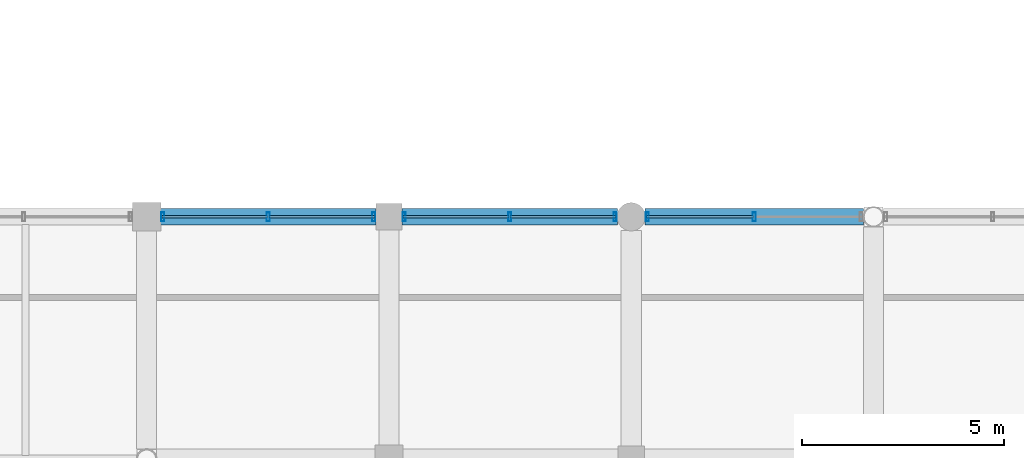
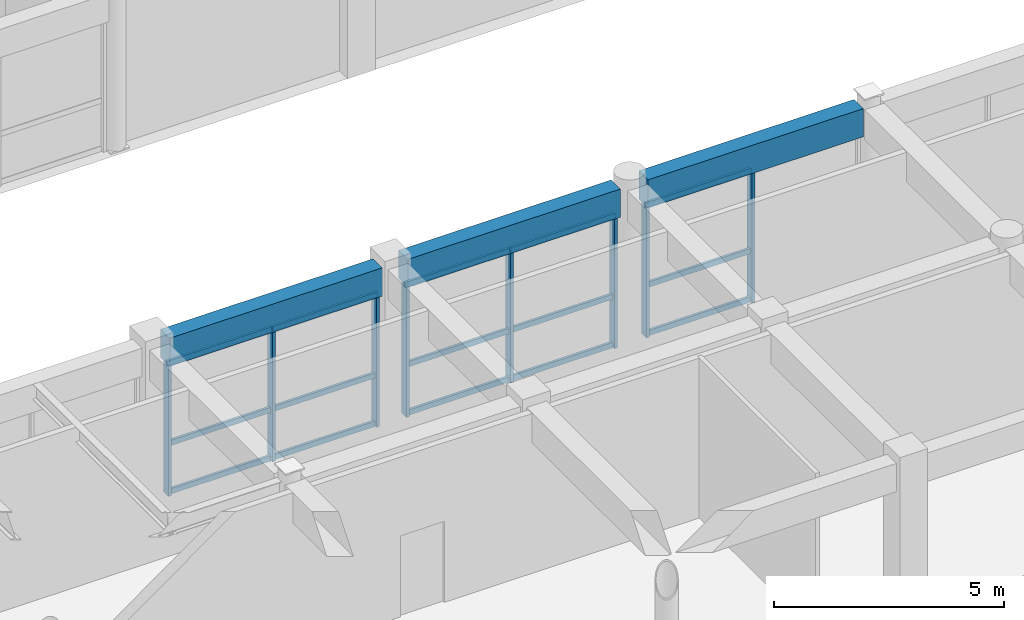
# One storey, part 39 of 116: 23 members, 3 beams, 3 elements without a shape of their own.
"""IFC4 building model written with IfcOpenShell, lengths in metres."""

from ifc_helpers import new_model, si_unit, direction, frame, origin, origin_2d, place, context, subcontext, project, spatial, rectangle, hollow_rectangle, extrude, material, material_profile, profile_set, type_object, element, aggregate, save


model = new_model("IFC4")

# Units and contexts
model_context = context("Model", 3, precision=1e-05, world=origin(), true_north=direction((0.0, 1.0)))
body_context = subcontext(model_context, "Body", "Model", "MODEL_VIEW")
ifc_project = project(units=[si_unit("LENGTHUNIT", "METRE"), si_unit("AREAUNIT", "SQUARE_METRE"), si_unit("VOLUMEUNIT", "CUBIC_METRE"), si_unit("PLANEANGLEUNIT", "RADIAN"), si_unit("MASSUNIT", "GRAM", prefix="KILO"), si_unit("THERMODYNAMICTEMPERATUREUNIT", "KELVIN"), si_unit("POWERUNIT", "WATT")], contexts=[model_context])

# Site, building, storey
site_placement = place(None, origin())
site = spatial("IfcSite", under=ifc_project, at=site_placement, CompositionType="ELEMENT")
building_placement = place(site_placement, origin())
building = spatial("IfcBuilding", under=site, at=building_placement, Name="Phaisarnlok Congress Hotel", CompositionType="ELEMENT")
storey_placement = place(building_placement, frame((0.0, 0.0, 10.5)))
storey = spatial("IfcBuildingStorey", under=building, at=storey_placement, Name="L02", CompositionType="ELEMENT", Elevation=10.5)

# Curtain wall, members
ifc_material_1 = material(Name="Thermally Broken Unitised Aluminium & Low-E Glazing", Category="aluminium")
curtain_wall_type_1 = type_object("IfcCurtainWallType", Name="CW-UNIT-17", PredefinedType="NOTDEFINED", material=ifc_material_1)
curtain_wall_1_placement = place(storey_placement, origin())
curtain_wall_1 = element("IfcCurtainWall", 1, at=curtain_wall_1_placement, inside=storey, type_object=curtain_wall_type_1, Name="Unitised curtain wall CW-17 (L02)", PredefinedType="NOTDEFINED")
ifc_material_2 = material(Name="Anodised Aluminium Alloy 6063-T6", Category="aluminium")
ifc_material_profile_1 = material_profile(ifc_material_2, hollow_rectangle(XDim=0.074951171875, YDim=0.219970703125, WallThickness=0.0048828125, at=origin_2d()), Name="ALU-M 75x220x5")
ifc_profile_set_1 = profile_set([ifc_material_profile_1], Name="Anodised Aluminium Alloy 6063-T6")
member_type_1 = type_object("IfcMemberType", Name="CWM-220", PredefinedType="MULLION", material=ifc_profile_set_1)
member_1_placement = place(storey_placement, frame((111.048095703125, 96.0, 0.0), z_axis=(0.0, 0.0, 1.0), x_axis=(-1.0, 0.0, 0.0)))
member_1 = element("IfcMember", 2, at=member_1_placement, type_object=member_type_1, Name="Curtain wall mullion CWM-02", PredefinedType="MULLION", context=body_context, shape_type="SweptSolid", body=[
    extrude(hollow_rectangle(XDim=0.074951171875, YDim=0.219970703125, WallThickness=0.0048828125, at=origin_2d()), origin(), (0.0, 0.0, 1.0), 3.510009765625),
])
member_2_placement = place(storey_placement, frame((108.39990234375, 96.0, 0.0), z_axis=(0.0, 0.0, 1.0), x_axis=(-1.0, 0.0, 0.0)))
member_2 = element("IfcMember", 3, at=member_2_placement, type_object=member_type_1, Name="Curtain wall mullion CWM-02", PredefinedType="MULLION", context=body_context, shape_type="SweptSolid", body=[
    extrude(hollow_rectangle(XDim=0.074951171875, YDim=0.219970703125, WallThickness=0.0048828125, at=origin_2d()), origin(), (0.0, 0.0, 1.0), 3.510009765625),
])

curtain_wall_type_2 = type_object("IfcCurtainWallType", Name="CW-UNIT-16", PredefinedType="NOTDEFINED", material=ifc_material_1)
curtain_wall_2_placement = place(storey_placement, origin())
curtain_wall_2 = element("IfcCurtainWall", 4, at=curtain_wall_2_placement, inside=storey, type_object=curtain_wall_type_2, Name="Unitised curtain wall CW-16 (L02)", PredefinedType="NOTDEFINED")
member_3_placement = place(storey_placement, frame((107.60009765625, 96.0, 0.0), z_axis=(0.0, 0.0, 1.0), x_axis=(-1.0, 0.0, 0.0)))
member_3 = element("IfcMember", 5, at=member_3_placement, type_object=member_type_1, Name="Curtain wall mullion CWM-02", PredefinedType="MULLION", context=body_context, shape_type="SweptSolid", body=[
    extrude(hollow_rectangle(XDim=0.074951171875, YDim=0.219970703125, WallThickness=0.0048828125, at=origin_2d()), origin(), (0.0, 0.0, 1.0), 3.510009765625),
])
member_4_placement = place(storey_placement, frame((104.987548828125, 96.0, 0.0), z_axis=(0.0, 0.0, 1.0), x_axis=(-1.0, 0.0, 0.0)))
member_4 = element("IfcMember", 6, at=member_4_placement, type_object=member_type_1, Name="Curtain wall mullion CWM-02", PredefinedType="MULLION", context=body_context, shape_type="SweptSolid", body=[
    extrude(hollow_rectangle(XDim=0.074951171875, YDim=0.219970703125, WallThickness=0.0048828125, at=origin_2d()), origin(), (0.0, 0.0, 1.0), 3.510009765625),
])
member_5_placement = place(storey_placement, frame((102.375, 96.0, 0.0), z_axis=(0.0, 0.0, 1.0), x_axis=(-1.0, 0.0, 0.0)))
member_5 = element("IfcMember", 7, at=member_5_placement, type_object=member_type_1, Name="Curtain wall mullion CWM-02", PredefinedType="MULLION", context=body_context, shape_type="SweptSolid", body=[
    extrude(hollow_rectangle(XDim=0.074951171875, YDim=0.219970703125, WallThickness=0.0048828125, at=origin_2d()), origin(), (0.0, 0.0, 1.0), 3.510009765625),
])

curtain_wall_3_placement = place(storey_placement, origin())
curtain_wall_3 = element("IfcCurtainWall", 8, at=curtain_wall_3_placement, inside=storey, type_object=curtain_wall_type_2, Name="Unitised curtain wall CW-16 (L02)", PredefinedType="NOTDEFINED")
member_6_placement = place(storey_placement, frame((101.625, 96.0, 0.0), z_axis=(0.0, 0.0, 1.0), x_axis=(-1.0, 0.0, 0.0)))
member_6 = element("IfcMember", 9, at=member_6_placement, type_object=member_type_1, Name="Curtain wall mullion CWM-02", PredefinedType="MULLION", context=body_context, shape_type="SweptSolid", body=[
    extrude(hollow_rectangle(XDim=0.074951171875, YDim=0.219970703125, WallThickness=0.0048828125, at=origin_2d()), origin(), (0.0, 0.0, 1.0), 3.510009765625),
])
member_7_placement = place(storey_placement, frame((99.012451171875, 96.0, 0.0), z_axis=(0.0, 0.0, 1.0), x_axis=(-1.0, 0.0, 0.0)))
member_7 = element("IfcMember", 10, at=member_7_placement, type_object=member_type_1, Name="Curtain wall mullion CWM-02", PredefinedType="MULLION", context=body_context, shape_type="SweptSolid", body=[
    extrude(hollow_rectangle(XDim=0.074951171875, YDim=0.219970703125, WallThickness=0.0048828125, at=origin_2d()), origin(), (0.0, 0.0, 1.0), 3.510009765625),
])
member_8_placement = place(storey_placement, frame((96.39990234375, 96.0, 0.0), z_axis=(0.0, 0.0, 1.0), x_axis=(-1.0, 0.0, 0.0)))
member_8 = element("IfcMember", 11, at=member_8_placement, type_object=member_type_1, Name="Curtain wall mullion CWM-02", PredefinedType="MULLION", context=body_context, shape_type="SweptSolid", body=[
    extrude(hollow_rectangle(XDim=0.074951171875, YDim=0.219970703125, WallThickness=0.0048828125, at=origin_2d()), origin(), (0.0, 0.0, 1.0), 3.510009765625),
])

# Member
ifc_material_profile_2 = material_profile(ifc_material_2, hollow_rectangle(XDim=0.06494140625, YDim=0.139892578125, WallThickness=0.00390625, at=origin_2d()), Name="ALU-T 65x140x4")
ifc_profile_set_2 = profile_set([ifc_material_profile_2], Name="Anodised Aluminium Alloy 6063-T6")
member_type_2 = type_object("IfcMemberType", Name="CWT-150", PredefinedType="USERDEFINED", material=ifc_profile_set_2)
member_9_placement = place(storey_placement, frame((111.032958984375, 96.0, 0.050048828125), z_axis=(-1.0, 0.0, 0.0), x_axis=(0.0, -1.0, 0.0)))
member_9 = element("IfcMember", 12, at=member_9_placement, type_object=member_type_2, Name="Curtain wall transom CWT-01", ObjectType="TRANSOM", PredefinedType="USERDEFINED", context=body_context, shape_type="SweptSolid", body=[
    extrude(hollow_rectangle(XDim=0.06494140625, YDim=0.139892578125, WallThickness=0.00390625, at=origin_2d()), origin(), (0.0, 0.0, 1.0), 2.657958984375),
])

member_10_placement = place(storey_placement, frame((111.032958984375, 96.0, 1.333740234375), z_axis=(-1.0, 0.0, 0.0), x_axis=(0.0, -1.0, 0.0)))
member_10 = element("IfcMember", 13, at=member_10_placement, type_object=member_type_2, Name="Curtain wall transom CWT-01", ObjectType="TRANSOM", PredefinedType="USERDEFINED", context=body_context, shape_type="SweptSolid", body=[
    extrude(hollow_rectangle(XDim=0.06494140625, YDim=0.139892578125, WallThickness=0.00390625, at=origin_2d()), origin(), (0.0, 0.0, 1.0), 2.657958984375),
])

member_11_placement = place(storey_placement, frame((111.032958984375, 96.0, 3.4599609375), z_axis=(-1.0, 0.0, 0.0), x_axis=(0.0, -1.0, 0.0)))
member_11 = element("IfcMember", 14, at=member_11_placement, type_object=member_type_2, Name="Curtain wall transom CWT-01", ObjectType="TRANSOM", PredefinedType="USERDEFINED", context=body_context, shape_type="SweptSolid", body=[
    extrude(hollow_rectangle(XDim=0.06494140625, YDim=0.139892578125, WallThickness=0.00390625, at=origin_2d()), origin(), (0.0, 0.0, 1.0), 2.657958984375),
])

aggregate(curtain_wall_1, [member_1, member_2, member_9, member_10, member_11])

member_12_placement = place(storey_placement, frame((107.625, 96.0, 0.050048828125), z_axis=(-1.0, 0.0, 0.0), x_axis=(0.0, -1.0, 0.0)))
member_12 = element("IfcMember", 15, at=member_12_placement, type_object=member_type_2, Name="Curtain wall transom CWT-01", ObjectType="TRANSOM", PredefinedType="USERDEFINED", context=body_context, shape_type="SweptSolid", body=[
    extrude(hollow_rectangle(XDim=0.06494140625, YDim=0.139892578125, WallThickness=0.00390625, at=origin_2d()), origin(), (0.0, 0.0, 1.0), 2.62255859375),
])

member_13_placement = place(storey_placement, frame((107.625, 96.0, 1.333740234375), z_axis=(-1.0, 0.0, 0.0), x_axis=(0.0, -1.0, 0.0)))
member_13 = element("IfcMember", 16, at=member_13_placement, type_object=member_type_2, Name="Curtain wall transom CWT-01", ObjectType="TRANSOM", PredefinedType="USERDEFINED", context=body_context, shape_type="SweptSolid", body=[
    extrude(hollow_rectangle(XDim=0.06494140625, YDim=0.139892578125, WallThickness=0.00390625, at=origin_2d()), origin(), (0.0, 0.0, 1.0), 2.62255859375),
])

member_14_placement = place(storey_placement, frame((107.625, 96.0, 3.4599609375), z_axis=(-1.0, 0.0, 0.0), x_axis=(0.0, -1.0, 0.0)))
member_14 = element("IfcMember", 17, at=member_14_placement, type_object=member_type_2, Name="Curtain wall transom CWT-01", ObjectType="TRANSOM", PredefinedType="USERDEFINED", context=body_context, shape_type="SweptSolid", body=[
    extrude(hollow_rectangle(XDim=0.06494140625, YDim=0.139892578125, WallThickness=0.00390625, at=origin_2d()), origin(), (0.0, 0.0, 1.0), 2.62255859375),
])

member_15_placement = place(storey_placement, frame((104.972412109375, 96.0, 0.050048828125), z_axis=(-1.0, 0.0, 0.0), x_axis=(0.0, -1.0, 0.0)))
member_15 = element("IfcMember", 18, at=member_15_placement, type_object=member_type_2, Name="Curtain wall transom CWT-01", ObjectType="TRANSOM", PredefinedType="USERDEFINED", context=body_context, shape_type="SweptSolid", body=[
    extrude(hollow_rectangle(XDim=0.06494140625, YDim=0.139892578125, WallThickness=0.00390625, at=origin_2d()), origin(), (0.0, 0.0, 1.0), 2.622314453125),
])

member_16_placement = place(storey_placement, frame((104.972412109375, 96.0, 1.333740234375), z_axis=(-1.0, 0.0, 0.0), x_axis=(0.0, -1.0, 0.0)))
member_16 = element("IfcMember", 19, at=member_16_placement, type_object=member_type_2, Name="Curtain wall transom CWT-01", ObjectType="TRANSOM", PredefinedType="USERDEFINED", context=body_context, shape_type="SweptSolid", body=[
    extrude(hollow_rectangle(XDim=0.06494140625, YDim=0.139892578125, WallThickness=0.00390625, at=origin_2d()), origin(), (0.0, 0.0, 1.0), 2.622314453125),
])

member_17_placement = place(storey_placement, frame((104.972412109375, 96.0, 3.4599609375), z_axis=(-1.0, 0.0, 0.0), x_axis=(0.0, -1.0, 0.0)))
member_17 = element("IfcMember", 20, at=member_17_placement, type_object=member_type_2, Name="Curtain wall transom CWT-01", ObjectType="TRANSOM", PredefinedType="USERDEFINED", context=body_context, shape_type="SweptSolid", body=[
    extrude(hollow_rectangle(XDim=0.06494140625, YDim=0.139892578125, WallThickness=0.00390625, at=origin_2d()), origin(), (0.0, 0.0, 1.0), 2.622314453125),
])

aggregate(curtain_wall_2, [member_3, member_4, member_5, member_12, member_13, member_14, member_15, member_16, member_17])

member_18_placement = place(storey_placement, frame((101.64990234375, 96.0, 0.050048828125), z_axis=(-1.0, 0.0, 0.0), x_axis=(0.0, -1.0, 0.0)))
member_18 = element("IfcMember", 21, at=member_18_placement, type_object=member_type_2, Name="Curtain wall transom CWT-01", ObjectType="TRANSOM", PredefinedType="USERDEFINED", context=body_context, shape_type="SweptSolid", body=[
    extrude(hollow_rectangle(XDim=0.06494140625, YDim=0.139892578125, WallThickness=0.00390625, at=origin_2d()), origin(), (0.0, 0.0, 1.0), 2.622314453125),
])

member_19_placement = place(storey_placement, frame((101.64990234375, 96.0, 1.333740234375), z_axis=(-1.0, 0.0, 0.0), x_axis=(0.0, -1.0, 0.0)))
member_19 = element("IfcMember", 22, at=member_19_placement, type_object=member_type_2, Name="Curtain wall transom CWT-01", ObjectType="TRANSOM", PredefinedType="USERDEFINED", context=body_context, shape_type="SweptSolid", body=[
    extrude(hollow_rectangle(XDim=0.06494140625, YDim=0.139892578125, WallThickness=0.00390625, at=origin_2d()), origin(), (0.0, 0.0, 1.0), 2.622314453125),
])

member_20_placement = place(storey_placement, frame((101.64990234375, 96.0, 3.4599609375), z_axis=(-1.0, 0.0, 0.0), x_axis=(0.0, -1.0, 0.0)))
member_20 = element("IfcMember", 23, at=member_20_placement, type_object=member_type_2, Name="Curtain wall transom CWT-01", ObjectType="TRANSOM", PredefinedType="USERDEFINED", context=body_context, shape_type="SweptSolid", body=[
    extrude(hollow_rectangle(XDim=0.06494140625, YDim=0.139892578125, WallThickness=0.00390625, at=origin_2d()), origin(), (0.0, 0.0, 1.0), 2.622314453125),
])

member_21_placement = place(storey_placement, frame((98.99755859375, 96.0, 0.050048828125), z_axis=(-1.0, 0.0, 0.0), x_axis=(0.0, -1.0, 0.0)))
member_21 = element("IfcMember", 24, at=member_21_placement, type_object=member_type_2, Name="Curtain wall transom CWT-01", ObjectType="TRANSOM", PredefinedType="USERDEFINED", context=body_context, shape_type="SweptSolid", body=[
    extrude(hollow_rectangle(XDim=0.06494140625, YDim=0.139892578125, WallThickness=0.00390625, at=origin_2d()), origin(), (0.0, 0.0, 1.0), 2.62255859375),
])

member_22_placement = place(storey_placement, frame((98.99755859375, 96.0, 1.333740234375), z_axis=(-1.0, 0.0, 0.0), x_axis=(0.0, -1.0, 0.0)))
member_22 = element("IfcMember", 25, at=member_22_placement, type_object=member_type_2, Name="Curtain wall transom CWT-01", ObjectType="TRANSOM", PredefinedType="USERDEFINED", context=body_context, shape_type="SweptSolid", body=[
    extrude(hollow_rectangle(XDim=0.06494140625, YDim=0.139892578125, WallThickness=0.00390625, at=origin_2d()), origin(), (0.0, 0.0, 1.0), 2.62255859375),
])

member_23_placement = place(storey_placement, frame((98.99755859375, 96.0, 3.4599609375), z_axis=(-1.0, 0.0, 0.0), x_axis=(0.0, -1.0, 0.0)))
member_23 = element("IfcMember", 26, at=member_23_placement, type_object=member_type_2, Name="Curtain wall transom CWT-01", ObjectType="TRANSOM", PredefinedType="USERDEFINED", context=body_context, shape_type="SweptSolid", body=[
    extrude(hollow_rectangle(XDim=0.06494140625, YDim=0.139892578125, WallThickness=0.00390625, at=origin_2d()), origin(), (0.0, 0.0, 1.0), 2.62255859375),
])

aggregate(curtain_wall_3, [member_6, member_7, member_8, member_18, member_19, member_20, member_21, member_22, member_23])

# Beams
ifc_material_3 = material(Name="Concrete C40/50", Category="concrete")
ifc_material_profile_3 = material_profile(ifc_material_3, rectangle(XDim=0.39990234375, YDim=0.75, at=origin_2d()), Name="RC 400x750")
ifc_profile_set_3 = profile_set([ifc_material_profile_3], Name="Concrete C40/50")
beam_type = type_object("IfcBeamType", Name="SP-RC-400x750", PredefinedType="SPANDREL", material=ifc_profile_set_3)
for number, where, z_axis, x_axis, name in (
    (27, (96.344970703125, 96.0, 3.885009765625), (1.0, 0.0, 0.0), (0.0, 1.0, 0.0), "Beam SP-02"),
    (28, (102.320068359375, 96.0, 3.885009765625), (1.0, 0.0, 0.0), (0.0, 1.0, 0.0), "Beam SP-02"),
):
    element("IfcBeam", number, at=place(storey_placement, frame(where, z_axis=z_axis, x_axis=x_axis)), inside=storey, type_object=beam_type, Name=name, PredefinedType="SPANDREL", context=body_context, shape_type="SweptSolid", body=[
        extrude(rectangle(XDim=0.39990234375, YDim=0.75, at=origin_2d()), origin(), (0.0, 0.0, 1.0), 5.3349609375),
    ])
beam_placement = place(storey_placement, frame((108.344970703125, 96.0, 3.885009765625), z_axis=(1.0, 0.0, 0.0), x_axis=(0.0, 1.0, 0.0)))
element("IfcBeam", 29, at=beam_placement, inside=storey, type_object=beam_type, Name="Beam SP-02", PredefinedType="SPANDREL", context=body_context, shape_type="SweptSolid", body=[
    extrude(rectangle(XDim=0.39990234375, YDim=0.75, at=origin_2d()), origin(), (0.0, 0.0, 1.0), 5.406005859375),
])

save(model, "model.ifc")
